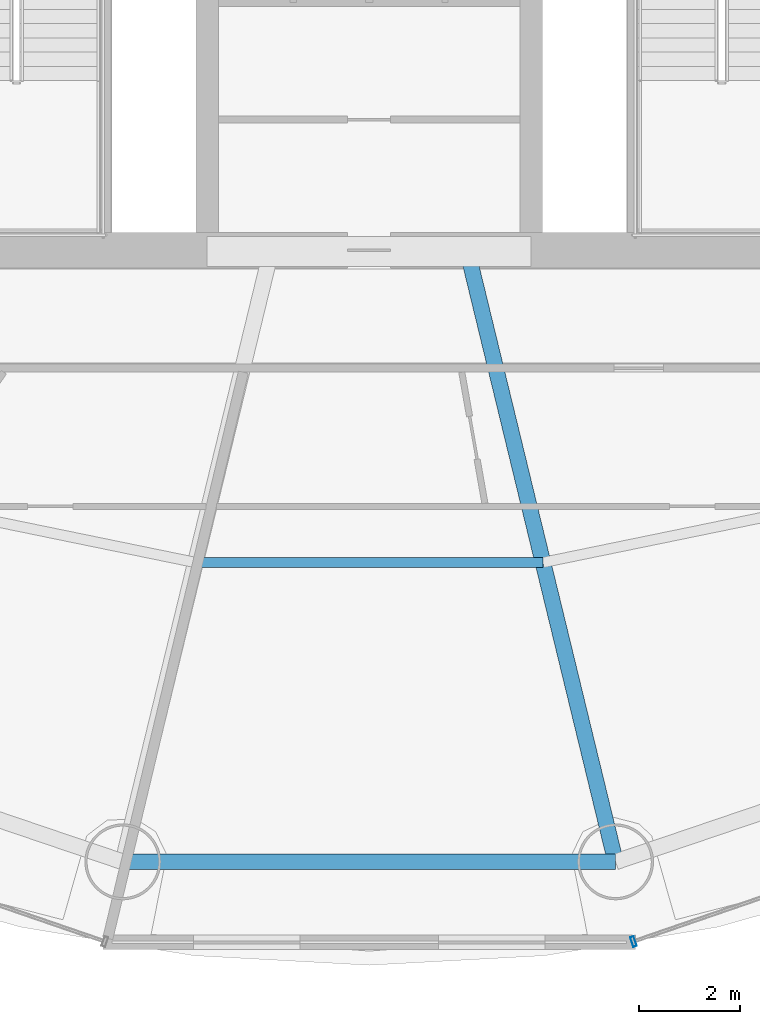
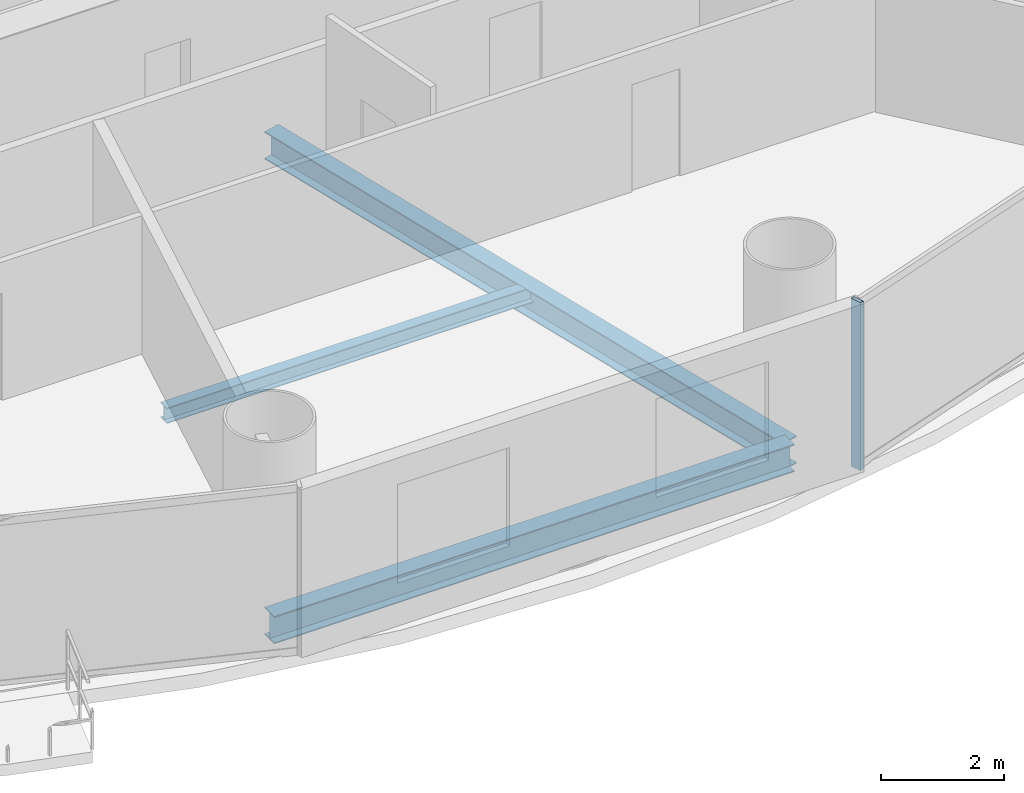
# One storey, part 5 of 29: 3 beams, 1 member, 1 element without a shape of its own.
"""IFC4 building model written with IfcOpenShell, lengths in metres."""

from ifc_helpers import new_model, si_unit, direction, frame, origin, origin_2d, place, context, subcontext, project, spatial, hollow_rectangle, i_section, extrude, source, transform, mapped, material, material_profile, profile_set, type_object, element, aggregate, save


model = new_model("IFC4")

# Units and contexts
model_context = context("Model", 3, precision=1e-05, world=origin(), true_north=direction((-0.2419218956, 0.970295726276)))
body_context = subcontext(model_context, "Body", "Model", "MODEL_VIEW")
ifc_project = project(units=[si_unit("LENGTHUNIT", "METRE"), si_unit("AREAUNIT", "SQUARE_METRE"), si_unit("VOLUMEUNIT", "CUBIC_METRE"), si_unit("PLANEANGLEUNIT", "RADIAN"), si_unit("MASSUNIT", "GRAM", prefix="KILO")], contexts=[model_context])

# Site, building, storey
site_placement = place(None, origin())
site = spatial("IfcSite", under=ifc_project, at=site_placement, CompositionType="ELEMENT")
building_placement = place(site_placement, origin())
building = spatial("IfcBuilding", under=site, at=building_placement, Name="Cobrevalo Terracotta Tower", CompositionType="ELEMENT")
storey_placement = place(building_placement, frame((0.0, 0.0, 94.199951171875)))
storey = spatial("IfcBuildingStorey", under=building, at=storey_placement, Name="L24", CompositionType="ELEMENT", Elevation=94.199951171875)

# Beams
ifc_material_1 = material(Name="Steel S355", Category="steel")
ifc_material_profile_1 = material_profile(ifc_material_1, i_section(OverallWidth=0.31201171875, OverallDepth=0.54296875, WebThickness=0.0126953125, FlangeThickness=0.020263671875, at=origin_2d()), Name="W 530x150")
ifc_profile_set_1 = profile_set([ifc_material_profile_1], Name="Steel S355")
beam_type_1 = type_object("IfcBeamType", Name="Structural Beam W 530x150 (Steel S355)", PredefinedType="BEAM", material=ifc_profile_set_1)
beam_1_placement = place(storey_placement, frame((42.867431640625, 6.742919921875, -0.54638671875), z_axis=(-0.235827379387, 0.971794961467, 0.0), x_axis=(-0.971794961467, -0.235827379387, 0.0)))
element("IfcBeam", 1, at=beam_1_placement, inside=storey, type_object=beam_type_1, Name="L24 radial floor girder 13", PredefinedType="BEAM", context=body_context, shape_type="SweptSolid", body=[
    extrude(i_section(OverallWidth=0.31201171875, OverallDepth=0.54296875, WebThickness=0.0126953125, FlangeThickness=0.020263671875, at=origin_2d()), origin(), (0.0, 0.0, 1.0), 12.17041015625),
])
ifc_material_profile_2 = material_profile(ifc_material_1, i_section(OverallWidth=0.2041015625, OverallDepth=0.305908203125, WebThickness=0.008544921875, FlangeThickness=0.0146484375, at=origin_2d()), Name="W 310x67")
ifc_profile_set_2 = profile_set([ifc_material_profile_2], Name="Steel S355")
beam_type_2 = type_object("IfcBeamType", Name="Structural Joist W 310x67 (Steel S355)", PredefinedType="JOIST", material=ifc_profile_set_2)
beam_2_placement = place(storey_placement, frame((34.567626953125, 12.656494140625, -0.427978515625), z_axis=(1.0, 0.0, 0.0), x_axis=(0.0, 1.0, 0.0)))
element("IfcBeam", 2, at=beam_2_placement, inside=storey, type_object=beam_type_2, Name="L24 circumferential secondary floor joist 12", PredefinedType="JOIST", context=body_context, shape_type="SweptSolid", body=[
    extrude(i_section(OverallWidth=0.2041015625, OverallDepth=0.305908203125, WebThickness=0.008544921875, FlangeThickness=0.0146484375, at=origin_2d()), origin(), (0.0, 0.0, 1.0), 6.86474609375),
])
ifc_material_profile_3 = material_profile(ifc_material_1, i_section(OverallWidth=0.31201171875, OverallDepth=0.54296875, WebThickness=0.0126953125, FlangeThickness=0.020263671875, at=origin_2d()), Name="W 530x150")
ifc_profile_set_3 = profile_set([ifc_material_profile_3], Name="Steel S355")
beam_type_3 = type_object("IfcBeamType", Name="Structural Spandrel W 530x150 (Steel S355)", PredefinedType="SPANDREL", material=ifc_profile_set_3)
beam_3_placement = place(storey_placement, frame((33.132568359375, 6.742919921875, -0.54638671875), z_axis=(1.0, 0.0, 0.0), x_axis=(0.0, 1.0, 0.0)))
element("IfcBeam", 3, at=beam_3_placement, inside=storey, type_object=beam_type_3, Name="L24 perimeter ring spandrel 12", PredefinedType="SPANDREL", context=body_context, shape_type="SweptSolid", body=[
    extrude(i_section(OverallWidth=0.31201171875, OverallDepth=0.54296875, WebThickness=0.0126953125, FlangeThickness=0.020263671875, at=origin_2d()), origin(), (0.0, 0.0, 1.0), 9.73486328125),
])

# Curtain wall, member
ifc_material_2 = material(Name="Anodized aluminium", Category="aluminium")
curtain_wall_type = type_object("IfcCurtainWallType", Name="Lower-tower unitised acoustic low-E curtain wall CW-U1", PredefinedType="NOTDEFINED", material=ifc_material_2)
curtain_wall_placement = place(storey_placement, origin())
curtain_wall = element("IfcCurtainWall", 4, at=curtain_wall_placement, inside=storey, type_object=curtain_wall_type, Name="L24 curtain wall CW-L24-S13", PredefinedType="NOTDEFINED")
ifc_material_profile_4 = material_profile(ifc_material_2, hollow_rectangle(XDim=0.074951171875, YDim=0.199951171875, WallThickness=0.0048828125, at=origin_2d()), Name="CWM 75x200")
ifc_profile_set_4 = profile_set([ifc_material_profile_4], Name="Anodized aluminium")
member_type = type_object("IfcMemberType", Name="Lower/mid tower unitised mullion 75x200", PredefinedType="MULLION", material=ifc_profile_set_4)
shared_shape = source(origin(), body_context, "Body", "SweptSolid", [
    extrude(hollow_rectangle(XDim=0.074951171875, YDim=0.199951171875, WallThickness=0.0048828125, at=origin_2d()), origin(), (0.0, 0.0, 1.0), 3.324951171875),
])
member_placement = place(storey_placement, frame((43.221435546875, 5.1669921875, 0.0), z_axis=(0.0, 0.0, 1.0), x_axis=(0.94559809868, 0.325337110968, 0.0)))
member = element("IfcMember", 5, at=member_placement, type_object=member_type, Name="CW-L24-S13 vertical mullion 01", PredefinedType="MULLION", context=body_context, shape_type="MappedRepresentation", body=[
    mapped(shared_shape, transform((0.0, 0.0, 0.0), scale=1.0)),
])
aggregate(curtain_wall, [member])

save(model, "model.ifc")
